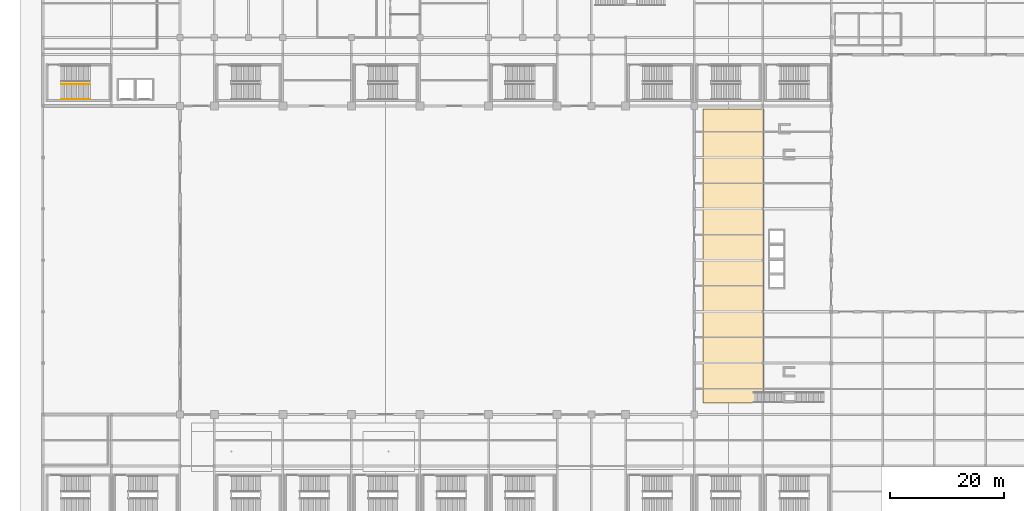
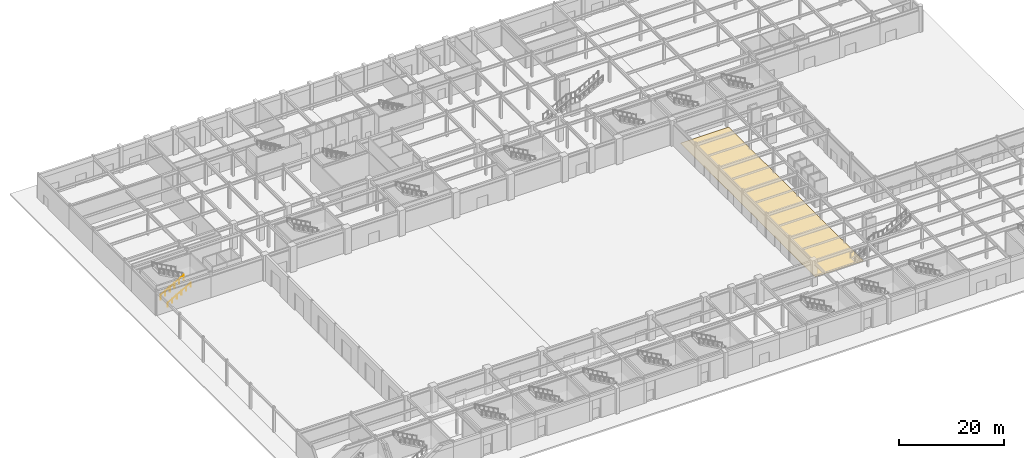
# One storey, part 38 of 44: 2 railings, 1 covering.
"""IFC4 building model written with IfcOpenShell, lengths in metres."""

from ifc_helpers import new_model, si_unit, direction, frame, origin, origin_2d, place, context, subcontext, project, spatial, polyline, circle, outline, extrude, material, layer, layer_set, type_object, element, save


model = new_model("IFC4")

# Units and contexts
model_context = context("Model", 3, precision=1e-05, world=origin(), true_north=direction((0.0, 1.0)))
body_context = subcontext(model_context, "Body", "Model", "MODEL_VIEW")
ifc_project = project(units=[si_unit("LENGTHUNIT", "METRE"), si_unit("AREAUNIT", "SQUARE_METRE"), si_unit("VOLUMEUNIT", "CUBIC_METRE"), si_unit("PLANEANGLEUNIT", "RADIAN"), si_unit("MASSUNIT", "GRAM", prefix="KILO")], contexts=[model_context])

# Site, building, storey
site_placement = place(None, origin())
site = spatial("IfcSite", under=ifc_project, at=site_placement, CompositionType="ELEMENT")
building_placement = place(site_placement, origin())
building = spatial("IfcBuilding", under=site, at=building_placement, Name="Kaldorvane Square Convention Centre", CompositionType="ELEMENT")
storey_placement = place(building_placement, origin())
storey = spatial("IfcBuildingStorey", under=building, at=storey_placement, Name="L00", CompositionType="ELEMENT", Elevation=0.0)

# Covering
ifc_material_1 = material(Name="Polished Aggregate Terrazzo Flooring")
ifc_layer = layer(ifc_material_1, 0.0200042724609375)
ifc_layer_set = layer_set([ifc_layer], Name="Polished Aggregate Terrazzo Flooring")
covering_type = type_object("IfcCoveringType", Name="CV-FLR-020", PredefinedType="FLOORING", material=ifc_layer_set)
covering_placement = place(storey_placement, origin())
element("IfcCovering", 1, at=covering_placement, inside=storey, type_object=covering_type, Name="East Grand Concourse Terrazzo Floor", PredefinedType="FLOORING", context=body_context, shape_type="SweptSolid", body=[
    extrude(outline(polyline([(115.5, 20.0), (126.19999694824219, 20.0), (126.19999694824219, 71.5), (115.5, 71.5), (115.5, 20.0)])), origin(), (0.0, 0.0, 1.0), 0.0200042724609375),
])

# Railings
ifc_material_2 = material(Name="Architectural Painted Steel", Category="steel")
railing_type_1 = type_object("IfcRailingType", Name="RL-GUARD-1120", PredefinedType="BALUSTRADE", material=ifc_material_2)
railing_1_placement = place(storey_placement, frame((3.2100067138671875, 75.85000610351562, 0.1666717529296875)))
element("IfcRailing", 2, at=railing_1_placement, inside=storey, type_object=railing_type_1, Name="Convention Exit Stair C12 Flight 1 Guard (L00)", PredefinedType="BALUSTRADE", context=body_context, shape_type="SweptSolid", body=[
    extrude(circle(Radius=0.0240020751953125, at=origin_2d()), frame((0.0, 0.0, 1.0959930419921875), z_axis=(0.874157276122, 0.0, 0.485642931179), x_axis=(0.0, 1.0, 0.0)), (0.0, 0.0, 1.0), 5.8341827392578125),
    extrude(circle(Radius=0.02099609375, at=origin_2d()), origin(), (0.0, 0.0, 1.0), 1.071990966796875),
    extrude(circle(Radius=0.02099609375, at=origin_2d()), frame((1.0200042724609375, 0.0, 0.5666656494140625)), (0.0, 0.0, 1.0), 1.071990966796875),
    extrude(circle(Radius=0.02099609375, at=origin_2d()), frame((2.0399932861328125, 0.0, 1.133331298828125)), (0.0, 0.0, 1.0), 1.071990966796875),
    extrude(circle(Radius=0.02099609375, at=origin_2d()), frame((3.05999755859375, 0.0, 1.6999969482421875)), (0.0, 0.0, 1.0), 1.071990966796875),
    extrude(circle(Radius=0.02099609375, at=origin_2d()), frame((4.079986572265625, 0.0, 2.26666259765625)), (0.0, 0.0, 1.0), 1.071990966796875),
    extrude(circle(Radius=0.02099609375, at=origin_2d()), frame((5.0999908447265625, 0.0, 2.8333282470703125)), (0.0, 0.0, 1.0), 1.071990966796875),
])
railing_type_2 = type_object("IfcRailingType", Name="RL-HAND-915", PredefinedType="HANDRAIL", material=ifc_material_2)
railing_2_placement = place(storey_placement, frame((3.2100067138671875, 73.16999816894531, 0.1666717529296875)))
element("IfcRailing", 3, at=railing_2_placement, inside=storey, type_object=railing_type_2, Name="Convention Exit Stair C12 Wall Handrail 1 (L00)", PredefinedType="HANDRAIL", context=body_context, shape_type="SweptSolid", body=[
    extrude(circle(Radius=0.0240020751953125, at=origin_2d()), frame((0.0, 0.0, 0.8909912109375), z_axis=(0.874157276122, 0.0, 0.485642931179), x_axis=(0.0, 1.0, 0.0)), (0.0, 0.0, 1.0), 5.8341827392578125),
    extrude(circle(Radius=0.02099609375, at=origin_2d()), origin(), (0.0, 0.0, 1.0), 0.8669891357421875),
    extrude(circle(Radius=0.02099609375, at=origin_2d()), frame((1.0200042724609375, 0.0, 0.5666656494140625)), (0.0, 0.0, 1.0), 0.8669891357421875),
    extrude(circle(Radius=0.02099609375, at=origin_2d()), frame((2.0399932861328125, 0.0, 1.133331298828125)), (0.0, 0.0, 1.0), 0.8669891357421875),
    extrude(circle(Radius=0.02099609375, at=origin_2d()), frame((3.05999755859375, 0.0, 1.6999969482421875)), (0.0, 0.0, 1.0), 0.8669891357421875),
    extrude(circle(Radius=0.02099609375, at=origin_2d()), frame((4.079986572265625, 0.0, 2.26666259765625)), (0.0, 0.0, 1.0), 0.8669891357421875),
    extrude(circle(Radius=0.02099609375, at=origin_2d()), frame((5.0999908447265625, 0.0, 2.8333282470703125)), (0.0, 0.0, 1.0), 0.8669891357421875),
])

save(model, "model.ifc")
